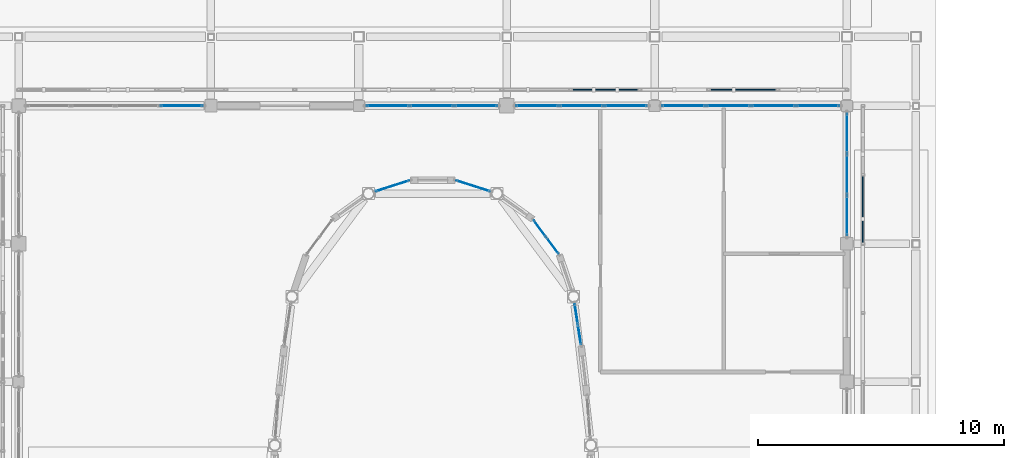
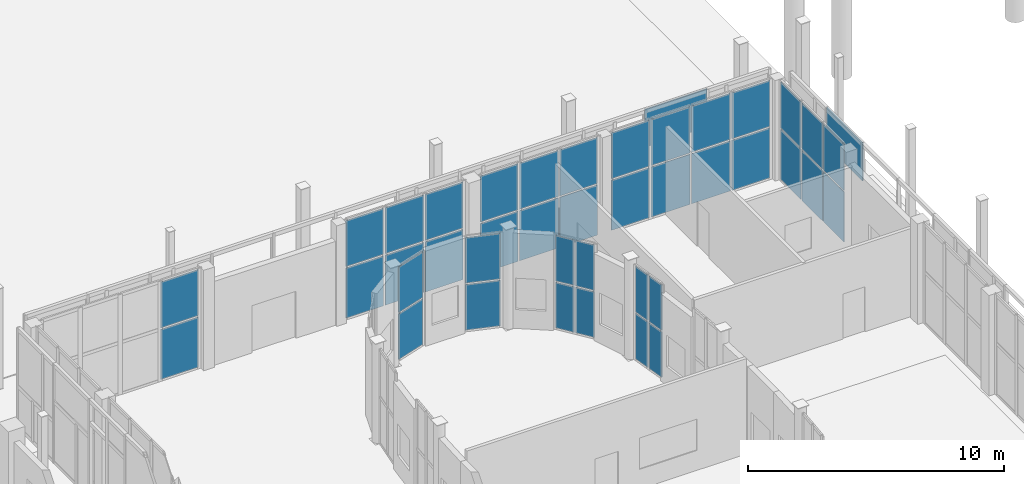
# One storey, part 57 of 91: 43 plates, 9 elements without a shape of their own.
"""IFC4 building model written with IfcOpenShell, lengths in metres."""

from ifc_helpers import new_model, si_unit, direction, frame, origin, origin_2d, place, context, subcontext, project, spatial, rectangle, extrude, material, layer, layer_set, type_object, element, aggregate, save


model = new_model("IFC4")

# Units and contexts
model_context = context("Model", 3, precision=1e-05, world=origin(), true_north=direction((0.0, 1.0)))
body_context = subcontext(model_context, "Body", "Model", "MODEL_VIEW")
ifc_project = project(units=[si_unit("LENGTHUNIT", "METRE"), si_unit("AREAUNIT", "SQUARE_METRE"), si_unit("VOLUMEUNIT", "CUBIC_METRE"), si_unit("PLANEANGLEUNIT", "RADIAN"), si_unit("MASSUNIT", "GRAM", prefix="KILO")], contexts=[model_context])

# Site, building, storey
site_placement = place(None, origin())
site = spatial("IfcSite", under=ifc_project, at=site_placement, CompositionType="ELEMENT")
building_placement = place(site_placement, origin())
building = spatial("IfcBuilding", under=site, at=building_placement, Name="Vinh Khe Railworks Police Headquarters", CompositionType="ELEMENT")
storey_placement = place(building_placement, origin())
storey = spatial("IfcBuildingStorey", under=building, at=storey_placement, Name="L00", CompositionType="ELEMENT", Elevation=0.0)

# Curtain wall, plates
ifc_material_1 = material(Name="Anodised aluminium and acoustic laminated glass", Category="aluminium")
ifc_layer_1 = layer(ifc_material_1, 0.159912109375)
ifc_layer_set_1 = layer_set([ifc_layer_1], Name="Anodised aluminium and acoustic laminated glass")
curtain_wall_type_1 = type_object("IfcCurtainWallType", Name="CW-DRUM-CHORD", PredefinedType="USERDEFINED", material=ifc_layer_set_1)
curtain_wall_1_placement = place(storey_placement, origin())
curtain_wall_1 = element("IfcCurtainWall", 1, at=curtain_wall_1_placement, inside=storey, type_object=curtain_wall_type_1, Name="Elliptical Command Drum Glazing L00 Chord 9", ObjectType="DRUM FACADE GLAZING", PredefinedType="USERDEFINED")
ifc_material_2 = material(Name="Acoustic laminated solar-control glass", Category="glass")
ifc_layer_2 = layer(ifc_material_2, 0.031982421875)
ifc_layer_set_2 = layer_set([ifc_layer_2], Name="Acoustic laminated solar-control glass")
plate_type_1 = type_object("IfcPlateType", Name="PAN-DRUM-32", PredefinedType="CURTAIN_PANEL", material=ifc_layer_set_2)
plate_1_placement = place(storey_placement, frame((49.15283203125, 49.51171875, 0.06494140625), z_axis=(0.0, 0.0, 1.0), x_axis=(-0.153491365117, 0.988149989037, 0.0)))
plate_1 = element("IfcPlate", 2, at=plate_1_placement, type_object=plate_type_1, Name="CW-02 panel 1.1", PredefinedType="CURTAIN_PANEL", context=body_context, shape_type="SweptSolid", body=[
    extrude(rectangle(XDim=0.78955078125, YDim=0.031982421875, at=origin_2d()), origin(), (0.0, 0.0, 1.0), 2.177490234375),
])
plate_2_placement = place(storey_placement, frame((49.15283203125, 49.51171875, 2.3076171875), z_axis=(0.0, 0.0, 1.0), x_axis=(-0.153491365117, 0.988149989037, 0.0)))
plate_2 = element("IfcPlate", 3, at=plate_2_placement, type_object=plate_type_1, Name="CW-02 panel 1.2", PredefinedType="CURTAIN_PANEL", context=body_context, shape_type="SweptSolid", body=[
    extrude(rectangle(XDim=0.78955078125, YDim=0.031982421875, at=origin_2d()), origin(), (0.0, 0.0, 1.0), 2.177490234375),
])
plate_3_placement = place(storey_placement, frame((49.021728515625, 50.35595703125, 0.06494140625), z_axis=(0.0, 0.0, 1.0), x_axis=(-0.153491365117, 0.988149989037, 0.0)))
plate_3 = element("IfcPlate", 4, at=plate_3_placement, type_object=plate_type_1, Name="CW-02 panel 2.1", PredefinedType="CURTAIN_PANEL", context=body_context, shape_type="SweptSolid", body=[
    extrude(rectangle(XDim=0.78955078125, YDim=0.031982421875, at=origin_2d()), origin(), (0.0, 0.0, 1.0), 2.177490234375),
])
plate_4_placement = place(storey_placement, frame((49.021728515625, 50.35595703125, 2.3076171875), z_axis=(0.0, 0.0, 1.0), x_axis=(-0.153491365117, 0.988149989037, 0.0)))
plate_4 = element("IfcPlate", 5, at=plate_4_placement, type_object=plate_type_1, Name="CW-02 panel 2.2", PredefinedType="CURTAIN_PANEL", context=body_context, shape_type="SweptSolid", body=[
    extrude(rectangle(XDim=0.78955078125, YDim=0.031982421875, at=origin_2d()), origin(), (0.0, 0.0, 1.0), 2.177490234375),
])
aggregate(curtain_wall_1, [plate_1, plate_2, plate_3, plate_4])

curtain_wall_2_placement = place(storey_placement, origin())
curtain_wall_2 = element("IfcCurtainWall", 6, at=curtain_wall_2_placement, inside=storey, type_object=curtain_wall_type_1, Name="Elliptical Command Drum Glazing L00 Chord 11", ObjectType="DRUM FACADE GLAZING", PredefinedType="USERDEFINED")
plate_5_placement = place(storey_placement, frame((48.056884765625, 53.126708984375, 0.06494140625), z_axis=(0.0, 0.0, 1.0), x_axis=(-0.596528425784, 0.802591949394, 0.0)))
plate_5 = element("IfcPlate", 7, at=plate_5_placement, type_object=plate_type_1, Name="CW-02 panel 1.1", PredefinedType="CURTAIN_PANEL", context=body_context, shape_type="SweptSolid", body=[
    extrude(rectangle(XDim=0.799560546875, YDim=0.031982421875, at=origin_2d()), origin(), (0.0, 0.0, 1.0), 2.177490234375),
])
plate_6_placement = place(storey_placement, frame((48.056884765625, 53.126708984375, 2.3076171875), z_axis=(0.0, 0.0, 1.0), x_axis=(-0.596528425784, 0.802591949394, 0.0)))
plate_6 = element("IfcPlate", 8, at=plate_6_placement, type_object=plate_type_1, Name="CW-02 panel 1.2", PredefinedType="CURTAIN_PANEL", context=body_context, shape_type="SweptSolid", body=[
    extrude(rectangle(XDim=0.799560546875, YDim=0.031982421875, at=origin_2d()), origin(), (0.0, 0.0, 1.0), 2.177490234375),
])
plate_7_placement = place(storey_placement, frame((47.541259765625, 53.820556640625, 0.06494140625), z_axis=(0.0, 0.0, 1.0), x_axis=(-0.596528425784, 0.802591949394, 0.0)))
plate_7 = element("IfcPlate", 9, at=plate_7_placement, type_object=plate_type_1, Name="CW-02 panel 2.1", PredefinedType="CURTAIN_PANEL", context=body_context, shape_type="SweptSolid", body=[
    extrude(rectangle(XDim=0.799560546875, YDim=0.031982421875, at=origin_2d()), origin(), (0.0, 0.0, 1.0), 2.177490234375),
])
plate_8_placement = place(storey_placement, frame((47.541259765625, 53.820556640625, 2.3076171875), z_axis=(0.0, 0.0, 1.0), x_axis=(-0.596528425784, 0.802591949394, 0.0)))
plate_8 = element("IfcPlate", 10, at=plate_8_placement, type_object=plate_type_1, Name="CW-02 panel 2.2", PredefinedType="CURTAIN_PANEL", context=body_context, shape_type="SweptSolid", body=[
    extrude(rectangle(XDim=0.799560546875, YDim=0.031982421875, at=origin_2d()), origin(), (0.0, 0.0, 1.0), 2.177490234375),
])
aggregate(curtain_wall_2, [plate_5, plate_6, plate_7, plate_8])

curtain_wall_3_placement = place(storey_placement, origin())
curtain_wall_3 = element("IfcCurtainWall", 11, at=curtain_wall_3_placement, inside=storey, type_object=curtain_wall_type_1, Name="Elliptical Command Drum Glazing L00 Chord 13", ObjectType="DRUM FACADE GLAZING", PredefinedType="USERDEFINED")
plate_9_placement = place(storey_placement, frame((44.832763671875, 55.549560546875, 0.06494140625), z_axis=(0.0, 0.0, 1.0), x_axis=(-0.952167689987, 0.30557599733, 0.0)))
plate_9 = element("IfcPlate", 12, at=plate_9_placement, type_object=plate_type_1, Name="CW-02 panel 1.1", PredefinedType="CURTAIN_PANEL", context=body_context, shape_type="SweptSolid", body=[
    extrude(rectangle(XDim=1.41552734375, YDim=0.031982421875, at=origin_2d()), origin(), (0.0, 0.0, 1.0), 2.177490234375),
])
plate_10_placement = place(storey_placement, frame((44.832763671875, 55.549560546875, 2.3076171875), z_axis=(0.0, 0.0, 1.0), x_axis=(-0.952167689987, 0.30557599733, 0.0)))
plate_10 = element("IfcPlate", 13, at=plate_10_placement, type_object=plate_type_1, Name="CW-02 panel 1.2", PredefinedType="CURTAIN_PANEL", context=body_context, shape_type="SweptSolid", body=[
    extrude(rectangle(XDim=1.41552734375, YDim=0.031982421875, at=origin_2d()), origin(), (0.0, 0.0, 1.0), 2.177490234375),
])
aggregate(curtain_wall_3, [plate_9, plate_10])

curtain_wall_4_placement = place(storey_placement, origin())
curtain_wall_4 = element("IfcCurtainWall", 14, at=curtain_wall_4_placement, inside=storey, type_object=curtain_wall_type_1, Name="Elliptical Command Drum Glazing L00 Chord 15", ObjectType="DRUM FACADE GLAZING", PredefinedType="USERDEFINED")
plate_11_placement = place(storey_placement, frame((41.5673828125, 55.549560546875, 0.06494140625), z_axis=(0.0, 0.0, 1.0), x_axis=(-0.952167689987, -0.30557599733, 0.0)))
plate_11 = element("IfcPlate", 15, at=plate_11_placement, type_object=plate_type_1, Name="CW-02 panel 1.1", PredefinedType="CURTAIN_PANEL", context=body_context, shape_type="SweptSolid", body=[
    extrude(rectangle(XDim=1.41552734375, YDim=0.031982421875, at=origin_2d()), origin(), (0.0, 0.0, 1.0), 2.177490234375),
])
plate_12_placement = place(storey_placement, frame((41.5673828125, 55.549560546875, 2.3076171875), z_axis=(0.0, 0.0, 1.0), x_axis=(-0.952167689987, -0.30557599733, 0.0)))
plate_12 = element("IfcPlate", 16, at=plate_12_placement, type_object=plate_type_1, Name="CW-02 panel 1.2", PredefinedType="CURTAIN_PANEL", context=body_context, shape_type="SweptSolid", body=[
    extrude(rectangle(XDim=1.41552734375, YDim=0.031982421875, at=origin_2d()), origin(), (0.0, 0.0, 1.0), 2.177490234375),
])
aggregate(curtain_wall_4, [plate_11, plate_12])

ifc_material_3 = material(Name="Anodised aluminium and low-iron glass", Category="aluminium")
ifc_layer_3 = layer(ifc_material_3, 0.179931640625)
ifc_layer_set_3 = layer_set([ifc_layer_3], Name="Anodised aluminium and low-iron glass")
curtain_wall_type_2 = type_object("IfcCurtainWallType", Name="CW-CUBE-UNIT", PredefinedType="USERDEFINED", material=ifc_layer_set_3)
curtain_wall_5_placement = place(storey_placement, origin())
curtain_wall_5 = element("IfcCurtainWall", 17, at=curtain_wall_5_placement, inside=storey, type_object=curtain_wall_type_2, Name="Entrance Hall Curtain Wall L00 N-1", ObjectType="UNITISED GLAZING", PredefinedType="USERDEFINED")
ifc_material_4 = material(Name="Low-iron laminated solar-control glass", Category="glass")
ifc_layer_4 = layer(ifc_material_4, 0.028076171875)
ifc_layer_set_4 = layer_set([ifc_layer_4], Name="Low-iron laminated solar-control glass")
plate_type_2 = type_object("IfcPlateType", Name="PAN-GLZ-28", PredefinedType="CURTAIN_PANEL", material=ifc_layer_set_4)
plate_13_placement = place(storey_placement, frame((33.008056640625, 58.800048828125, 0.06982421875), z_axis=(0.0, 0.0, 1.0), x_axis=(1.0, 0.0, 0.0)))
plate_13 = element("IfcPlate", 18, at=plate_13_placement, type_object=plate_type_2, Name="CW-01 panel 4.1", PredefinedType="CURTAIN_PANEL", context=body_context, shape_type="SweptSolid", body=[
    extrude(rectangle(XDim=1.703857421875, YDim=0.028076171875, at=origin_2d()), origin(), (0.0, 0.0, 1.0), 2.39111328125),
])
plate_14_placement = place(storey_placement, frame((33.008056640625, 58.800048828125, 2.53125), z_axis=(0.0, 0.0, 1.0), x_axis=(1.0, 0.0, 0.0)))
plate_14 = element("IfcPlate", 19, at=plate_14_placement, type_object=plate_type_2, Name="CW-01 panel 4.2", PredefinedType="CURTAIN_PANEL", context=body_context, shape_type="SweptSolid", body=[
    extrude(rectangle(XDim=1.703857421875, YDim=0.028076171875, at=origin_2d()), origin(), (0.0, 0.0, 1.0), 2.198974609375),
])
aggregate(curtain_wall_5, [plate_13, plate_14])

curtain_wall_6_placement = place(storey_placement, origin())
curtain_wall_6 = element("IfcCurtainWall", 20, at=curtain_wall_6_placement, inside=storey, type_object=curtain_wall_type_2, Name="Entrance Hall Curtain Wall L00 N-3", ObjectType="UNITISED GLAZING", PredefinedType="USERDEFINED")
plate_15_placement = place(storey_placement, frame((41.368408203125, 58.800048828125, 0.06982421875), z_axis=(0.0, 0.0, 1.0), x_axis=(1.0, 0.0, 0.0)))
plate_15 = element("IfcPlate", 21, at=plate_15_placement, type_object=plate_type_2, Name="CW-01 panel 1.1", PredefinedType="CURTAIN_PANEL", context=body_context, shape_type="SweptSolid", body=[
    extrude(rectangle(XDim=1.706787109375, YDim=0.028076171875, at=origin_2d()), origin(), (0.0, 0.0, 1.0), 2.39111328125),
])
plate_16_placement = place(storey_placement, frame((41.368408203125, 58.800048828125, 2.53125), z_axis=(0.0, 0.0, 1.0), x_axis=(1.0, 0.0, 0.0)))
plate_16 = element("IfcPlate", 22, at=plate_16_placement, type_object=plate_type_2, Name="CW-01 panel 1.2", PredefinedType="CURTAIN_PANEL", context=body_context, shape_type="SweptSolid", body=[
    extrude(rectangle(XDim=1.706787109375, YDim=0.028076171875, at=origin_2d()), origin(), (0.0, 0.0, 1.0), 2.198974609375),
])
plate_17_placement = place(storey_placement, frame((43.16259765625, 58.800048828125, 0.06982421875), z_axis=(0.0, 0.0, 1.0), x_axis=(1.0, 0.0, 0.0)))
plate_17 = element("IfcPlate", 23, at=plate_17_placement, type_object=plate_type_2, Name="CW-01 panel 2.1", PredefinedType="CURTAIN_PANEL", context=body_context, shape_type="SweptSolid", body=[
    extrude(rectangle(XDim=1.74169921875, YDim=0.028076171875, at=origin_2d()), origin(), (0.0, 0.0, 1.0), 2.39111328125),
])
plate_18_placement = place(storey_placement, frame((43.16259765625, 58.800048828125, 2.53125), z_axis=(0.0, 0.0, 1.0), x_axis=(1.0, 0.0, 0.0)))
plate_18 = element("IfcPlate", 24, at=plate_18_placement, type_object=plate_type_2, Name="CW-01 panel 2.2", PredefinedType="CURTAIN_PANEL", context=body_context, shape_type="SweptSolid", body=[
    extrude(rectangle(XDim=1.74169921875, YDim=0.028076171875, at=origin_2d()), origin(), (0.0, 0.0, 1.0), 2.198974609375),
])
plate_19_placement = place(storey_placement, frame((44.956787109375, 58.800048828125, 0.06982421875), z_axis=(0.0, 0.0, 1.0), x_axis=(1.0, 0.0, 0.0)))
plate_19 = element("IfcPlate", 25, at=plate_19_placement, type_object=plate_type_2, Name="CW-01 panel 3.1", PredefinedType="CURTAIN_PANEL", context=body_context, shape_type="SweptSolid", body=[
    extrude(rectangle(XDim=1.706787109375, YDim=0.028076171875, at=origin_2d()), origin(), (0.0, 0.0, 1.0), 2.39111328125),
])
plate_20_placement = place(storey_placement, frame((44.956787109375, 58.800048828125, 2.53125), z_axis=(0.0, 0.0, 1.0), x_axis=(1.0, 0.0, 0.0)))
plate_20 = element("IfcPlate", 26, at=plate_20_placement, type_object=plate_type_2, Name="CW-01 panel 3.2", PredefinedType="CURTAIN_PANEL", context=body_context, shape_type="SweptSolid", body=[
    extrude(rectangle(XDim=1.706787109375, YDim=0.028076171875, at=origin_2d()), origin(), (0.0, 0.0, 1.0), 2.198974609375),
])
aggregate(curtain_wall_6, [plate_15, plate_16, plate_17, plate_18, plate_19, plate_20])

curtain_wall_7_placement = place(storey_placement, origin())
curtain_wall_7 = element("IfcCurtainWall", 27, at=curtain_wall_7_placement, inside=storey, type_object=curtain_wall_type_2, Name="Entrance Hall Curtain Wall L00 N-4", ObjectType="UNITISED GLAZING", PredefinedType="USERDEFINED")
plate_21_placement = place(storey_placement, frame((47.443359375, 58.800048828125, 0.06982421875), z_axis=(0.0, 0.0, 1.0), x_axis=(1.0, 0.0, 0.0)))
plate_21 = element("IfcPlate", 28, at=plate_21_placement, type_object=plate_type_2, Name="CW-01 panel 1.1", PredefinedType="CURTAIN_PANEL", context=body_context, shape_type="SweptSolid", body=[
    extrude(rectangle(XDim=1.706787109375, YDim=0.028076171875, at=origin_2d()), origin(), (0.0, 0.0, 1.0), 2.39111328125),
])
plate_22_placement = place(storey_placement, frame((47.443359375, 58.800048828125, 2.53125), z_axis=(0.0, 0.0, 1.0), x_axis=(1.0, 0.0, 0.0)))
plate_22 = element("IfcPlate", 29, at=plate_22_placement, type_object=plate_type_2, Name="CW-01 panel 1.2", PredefinedType="CURTAIN_PANEL", context=body_context, shape_type="SweptSolid", body=[
    extrude(rectangle(XDim=1.706787109375, YDim=0.028076171875, at=origin_2d()), origin(), (0.0, 0.0, 1.0), 2.198974609375),
])
plate_23_placement = place(storey_placement, frame((49.237548828125, 58.800048828125, 0.06982421875), z_axis=(0.0, 0.0, 1.0), x_axis=(1.0, 0.0, 0.0)))
plate_23 = element("IfcPlate", 30, at=plate_23_placement, type_object=plate_type_2, Name="CW-01 panel 2.1", PredefinedType="CURTAIN_PANEL", context=body_context, shape_type="SweptSolid", body=[
    extrude(rectangle(XDim=1.74169921875, YDim=0.028076171875, at=origin_2d()), origin(), (0.0, 0.0, 1.0), 2.39111328125),
])
plate_24_placement = place(storey_placement, frame((49.237548828125, 58.800048828125, 2.53125), z_axis=(0.0, 0.0, 1.0), x_axis=(1.0, 0.0, 0.0)))
plate_24 = element("IfcPlate", 31, at=plate_24_placement, type_object=plate_type_2, Name="CW-01 panel 2.2", PredefinedType="CURTAIN_PANEL", context=body_context, shape_type="SweptSolid", body=[
    extrude(rectangle(XDim=1.74169921875, YDim=0.028076171875, at=origin_2d()), origin(), (0.0, 0.0, 1.0), 2.198974609375),
])
plate_25_placement = place(storey_placement, frame((51.03173828125, 58.800048828125, 0.06982421875), z_axis=(0.0, 0.0, 1.0), x_axis=(1.0, 0.0, 0.0)))
plate_25 = element("IfcPlate", 32, at=plate_25_placement, type_object=plate_type_2, Name="CW-01 panel 3.1", PredefinedType="CURTAIN_PANEL", context=body_context, shape_type="SweptSolid", body=[
    extrude(rectangle(XDim=1.706787109375, YDim=0.028076171875, at=origin_2d()), origin(), (0.0, 0.0, 1.0), 2.39111328125),
])
plate_26_placement = place(storey_placement, frame((51.03173828125, 58.800048828125, 2.53125), z_axis=(0.0, 0.0, 1.0), x_axis=(1.0, 0.0, 0.0)))
plate_26 = element("IfcPlate", 33, at=plate_26_placement, type_object=plate_type_2, Name="CW-01 panel 3.2", PredefinedType="CURTAIN_PANEL", context=body_context, shape_type="SweptSolid", body=[
    extrude(rectangle(XDim=1.706787109375, YDim=0.028076171875, at=origin_2d()), origin(), (0.0, 0.0, 1.0), 2.198974609375),
])
aggregate(curtain_wall_7, [plate_21, plate_22, plate_23, plate_24, plate_25, plate_26])

curtain_wall_8_placement = place(storey_placement, origin())
curtain_wall_8 = element("IfcCurtainWall", 34, at=curtain_wall_8_placement, inside=storey, type_object=curtain_wall_type_2, Name="Entrance Hall Curtain Wall L00 N-5", ObjectType="UNITISED GLAZING", PredefinedType="USERDEFINED")
plate_27_placement = place(storey_placement, frame((53.376220703125, 58.800048828125, 0.06982421875), z_axis=(0.0, 0.0, 1.0), x_axis=(1.0, 0.0, 0.0)))
plate_27 = element("IfcPlate", 35, at=plate_27_placement, type_object=plate_type_2, Name="CW-01 panel 1.1", PredefinedType="CURTAIN_PANEL", context=body_context, shape_type="SweptSolid", body=[
    extrude(rectangle(XDim=1.722412109375, YDim=0.028076171875, at=origin_2d()), origin(), (0.0, 0.0, 1.0), 2.39111328125),
])
plate_28_placement = place(storey_placement, frame((53.376220703125, 58.800048828125, 2.53125), z_axis=(0.0, 0.0, 1.0), x_axis=(1.0, 0.0, 0.0)))
plate_28 = element("IfcPlate", 36, at=plate_28_placement, type_object=plate_type_2, Name="CW-01 panel 1.2", PredefinedType="CURTAIN_PANEL", context=body_context, shape_type="SweptSolid", body=[
    extrude(rectangle(XDim=1.722412109375, YDim=0.028076171875, at=origin_2d()), origin(), (0.0, 0.0, 1.0), 2.198974609375),
])
plate_29_placement = place(storey_placement, frame((55.186279296875, 58.800048828125, 0.06982421875), z_axis=(0.0, 0.0, 1.0), x_axis=(1.0, 0.0, 0.0)))
plate_29 = element("IfcPlate", 37, at=plate_29_placement, type_object=plate_type_2, Name="CW-01 panel 2.1", PredefinedType="CURTAIN_PANEL", context=body_context, shape_type="SweptSolid", body=[
    extrude(rectangle(XDim=1.757568359375, YDim=0.028076171875, at=origin_2d()), origin(), (0.0, 0.0, 1.0), 2.39111328125),
])
plate_30_placement = place(storey_placement, frame((55.186279296875, 58.800048828125, 2.53125), z_axis=(0.0, 0.0, 1.0), x_axis=(1.0, 0.0, 0.0)))
plate_30 = element("IfcPlate", 38, at=plate_30_placement, type_object=plate_type_2, Name="CW-01 panel 2.2", PredefinedType="CURTAIN_PANEL", context=body_context, shape_type="SweptSolid", body=[
    extrude(rectangle(XDim=1.757568359375, YDim=0.028076171875, at=origin_2d()), origin(), (0.0, 0.0, 1.0), 2.198974609375),
])
plate_31_placement = place(storey_placement, frame((57.013671875, 58.800048828125, 0.06982421875), z_axis=(0.0, 0.0, 1.0), x_axis=(1.0, 0.0, 0.0)))
plate_31 = element("IfcPlate", 39, at=plate_31_placement, type_object=plate_type_2, Name="CW-01 panel 3.1", PredefinedType="CURTAIN_PANEL", context=body_context, shape_type="SweptSolid", body=[
    extrude(rectangle(XDim=1.757568359375, YDim=0.028076171875, at=origin_2d()), origin(), (0.0, 0.0, 1.0), 2.39111328125),
])
plate_32_placement = place(storey_placement, frame((57.013671875, 58.800048828125, 2.53125), z_axis=(0.0, 0.0, 1.0), x_axis=(1.0, 0.0, 0.0)))
plate_32 = element("IfcPlate", 40, at=plate_32_placement, type_object=plate_type_2, Name="CW-01 panel 3.2", PredefinedType="CURTAIN_PANEL", context=body_context, shape_type="SweptSolid", body=[
    extrude(rectangle(XDim=1.757568359375, YDim=0.028076171875, at=origin_2d()), origin(), (0.0, 0.0, 1.0), 2.198974609375),
])
plate_33_placement = place(storey_placement, frame((58.82373046875, 58.800048828125, 0.06982421875), z_axis=(0.0, 0.0, 1.0), x_axis=(1.0, 0.0, 0.0)))
plate_33 = element("IfcPlate", 41, at=plate_33_placement, type_object=plate_type_2, Name="CW-01 panel 4.1", PredefinedType="CURTAIN_PANEL", context=body_context, shape_type="SweptSolid", body=[
    extrude(rectangle(XDim=1.722412109375, YDim=0.028076171875, at=origin_2d()), origin(), (0.0, 0.0, 1.0), 2.39111328125),
])
plate_34_placement = place(storey_placement, frame((58.82373046875, 58.800048828125, 2.53125), z_axis=(0.0, 0.0, 1.0), x_axis=(1.0, 0.0, 0.0)))
plate_34 = element("IfcPlate", 42, at=plate_34_placement, type_object=plate_type_2, Name="CW-01 panel 4.2", PredefinedType="CURTAIN_PANEL", context=body_context, shape_type="SweptSolid", body=[
    extrude(rectangle(XDim=1.722412109375, YDim=0.028076171875, at=origin_2d()), origin(), (0.0, 0.0, 1.0), 2.198974609375),
])
aggregate(curtain_wall_8, [plate_27, plate_28, plate_29, plate_30, plate_31, plate_32, plate_33, plate_34])

curtain_wall_9_placement = place(storey_placement, origin())
curtain_wall_9 = element("IfcCurtainWall", 43, at=curtain_wall_9_placement, inside=storey, type_object=curtain_wall_type_2, Name="Entrance Hall Curtain Wall L00 E-6", ObjectType="UNITISED GLAZING", PredefinedType="USERDEFINED")
plate_35_placement = place(storey_placement, frame((60.0, 54.3349609375, 0.06982421875), z_axis=(0.0, 0.0, 1.0), x_axis=(0.0, 1.0, 0.0)))
plate_35 = element("IfcPlate", 44, at=plate_35_placement, type_object=plate_type_2, Name="CW-01 panel 1.1", PredefinedType="CURTAIN_PANEL", context=body_context, shape_type="SweptSolid", body=[
    extrude(rectangle(XDim=1.590087890625, YDim=0.028076171875, at=origin_2d()), origin(), (0.0, 0.0, 1.0), 2.39111328125),
])
plate_36_placement = place(storey_placement, frame((60.0, 54.3349609375, 2.53125), z_axis=(0.0, 0.0, 1.0), x_axis=(0.0, 1.0, 0.0)))
plate_36 = element("IfcPlate", 45, at=plate_36_placement, type_object=plate_type_2, Name="CW-01 panel 1.2", PredefinedType="CURTAIN_PANEL", context=body_context, shape_type="SweptSolid", body=[
    extrude(rectangle(XDim=1.590087890625, YDim=0.028076171875, at=origin_2d()), origin(), (0.0, 0.0, 1.0), 2.198974609375),
])
plate_37_placement = place(storey_placement, frame((60.0, 56.012451171875, 0.06982421875), z_axis=(0.0, 0.0, 1.0), x_axis=(0.0, 1.0, 0.0)))
plate_37 = element("IfcPlate", 46, at=plate_37_placement, type_object=plate_type_2, Name="CW-01 panel 2.1", PredefinedType="CURTAIN_PANEL", context=body_context, shape_type="SweptSolid", body=[
    extrude(rectangle(XDim=1.625, YDim=0.028076171875, at=origin_2d()), origin(), (0.0, 0.0, 1.0), 2.39111328125),
])
plate_38_placement = place(storey_placement, frame((60.0, 56.012451171875, 2.53125), z_axis=(0.0, 0.0, 1.0), x_axis=(0.0, 1.0, 0.0)))
plate_38 = element("IfcPlate", 47, at=plate_38_placement, type_object=plate_type_2, Name="CW-01 panel 2.2", PredefinedType="CURTAIN_PANEL", context=body_context, shape_type="SweptSolid", body=[
    extrude(rectangle(XDim=1.625, YDim=0.028076171875, at=origin_2d()), origin(), (0.0, 0.0, 1.0), 2.198974609375),
])
plate_39_placement = place(storey_placement, frame((60.0, 57.68994140625, 0.06982421875), z_axis=(0.0, 0.0, 1.0), x_axis=(0.0, 1.0, 0.0)))
plate_39 = element("IfcPlate", 48, at=plate_39_placement, type_object=plate_type_2, Name="CW-01 panel 3.1", PredefinedType="CURTAIN_PANEL", context=body_context, shape_type="SweptSolid", body=[
    extrude(rectangle(XDim=1.590087890625, YDim=0.028076171875, at=origin_2d()), origin(), (0.0, 0.0, 1.0), 2.39111328125),
])
plate_40_placement = place(storey_placement, frame((60.0, 57.68994140625, 2.53125), z_axis=(0.0, 0.0, 1.0), x_axis=(0.0, 1.0, 0.0)))
plate_40 = element("IfcPlate", 49, at=plate_40_placement, type_object=plate_type_2, Name="CW-01 panel 3.2", PredefinedType="CURTAIN_PANEL", context=body_context, shape_type="SweptSolid", body=[
    extrude(rectangle(XDim=1.590087890625, YDim=0.028076171875, at=origin_2d()), origin(), (0.0, 0.0, 1.0), 2.198974609375),
])
aggregate(curtain_wall_9, [plate_35, plate_36, plate_37, plate_38, plate_39, plate_40])

# Plates
ifc_material_5 = material(Name="Weathered architectural steel", Category="steel")
ifc_layer_5 = layer(ifc_material_5, 0.044921875)
ifc_layer_set_5 = layer_set([ifc_layer_5], Name="Weathered architectural steel")
plate_type_3 = type_object("IfcPlateType", Name="PLT-QP-02", PredefinedType="SHEET", material=ifc_layer_set_5)
for number, where, z_axis, x_axis, name in (
    (50, (55.800048828125, 59.449951171875, 2.97607421875), (0.0, 0.0, 1.0), (1.0, 0.0, 0.0), "Weathered Steel Casement Spandrel N-11"),
    (51, (60.64990234375, 54.60009765625, 2.97607421875), (0.0, 0.0, 1.0), (0.0, 1.0, 0.0), "Weathered Steel Casement Spandrel E-11"),
):
    element("IfcPlate", number, at=place(storey_placement, frame(where, z_axis=z_axis, x_axis=x_axis)), inside=storey, type_object=plate_type_3, Name=name, PredefinedType="SHEET", context=body_context, shape_type="SweptSolid", body=[
        extrude(rectangle(XDim=2.800048828125, YDim=0.044921875, at=origin_2d()), origin(), (0.0, 0.0, 1.0), 1.823974609375),
    ])
ifc_material_6 = material(Name="Salvaged ironwood timber", Category="wood")
ifc_layer_6 = layer(ifc_material_6, 0.050048828125)
ifc_layer_set_6 = layer_set([ifc_layer_6], Name="Salvaged ironwood timber")
plate_type_4 = type_object("IfcPlateType", Name="PLT-QP-03", PredefinedType="SHEET", material=ifc_layer_set_6)
plate_41_placement = place(storey_placement, frame((50.199951171875, 59.449951171875, 0.0), z_axis=(0.0, 0.0, 1.0), x_axis=(1.0, 0.0, 0.0)))
element("IfcPlate", 52, at=plate_41_placement, inside=storey, type_object=plate_type_4, Name="Salvaged Ironwood Panelled Casement N-9", PredefinedType="SHEET", context=body_context, shape_type="SweptSolid", body=[
    extrude(rectangle(XDim=2.800048828125, YDim=0.050048828125, at=origin_2d()), origin(), (0.0, 0.0, 1.0), 1.43994140625),
])

save(model, "model.ifc")
